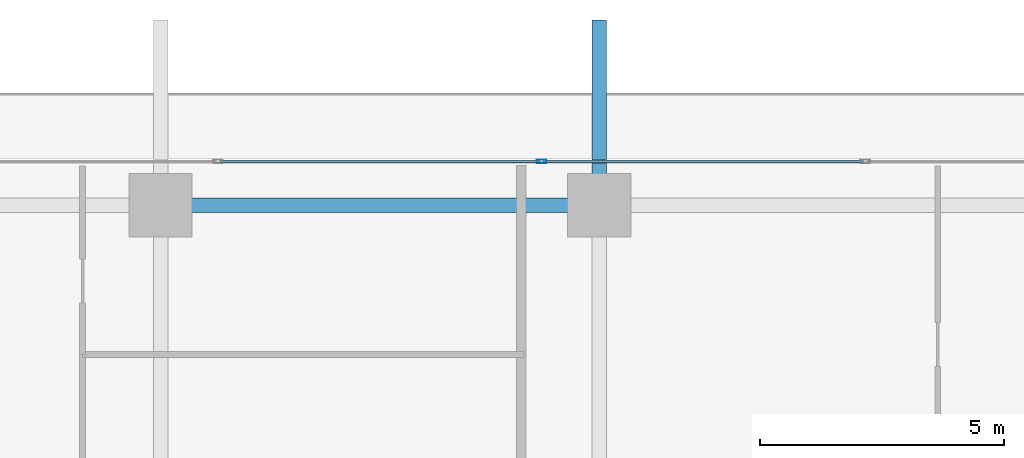
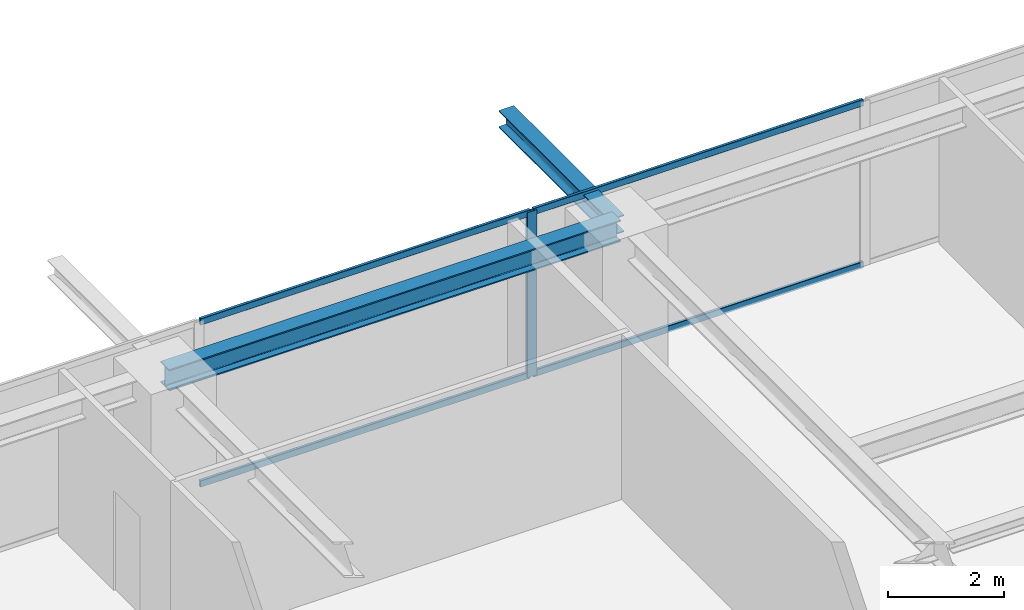
# One storey, part 21 of 36: 5 members, 2 beams, 1 element without a shape of its own.
"""IFC4 building model written with IfcOpenShell, lengths in metres."""

from ifc_helpers import new_model, si_unit, direction, frame, origin, origin_2d, place, context, subcontext, project, spatial, hollow_rectangle, i_section, extrude, source, transform, mapped, material, layer, layer_set, material_profile, profile_set, type_object, element, aggregate, save


model = new_model("IFC4")

# Units and contexts
model_context = context("Model", 3, precision=1e-05, world=origin(), true_north=direction((0.0, 1.0)))
body_context = subcontext(model_context, "Body", "Model", "MODEL_VIEW")
ifc_project = project(units=[si_unit("LENGTHUNIT", "METRE"), si_unit("AREAUNIT", "SQUARE_METRE"), si_unit("VOLUMEUNIT", "CUBIC_METRE"), si_unit("PLANEANGLEUNIT", "RADIAN"), si_unit("MASSUNIT", "GRAM", prefix="KILO")], contexts=[model_context])

# Site, building, storey
site_placement = place(None, origin())
site = spatial("IfcSite", under=ifc_project, at=site_placement, CompositionType="ELEMENT")
building_placement = place(site_placement, origin())
building = spatial("IfcBuilding", under=site, at=building_placement, Name="Serunith Strait Residences", CompositionType="ELEMENT")
storey_placement = place(building_placement, frame((0.0, 0.0, 131.39990234375)))
storey = spatial("IfcBuildingStorey", under=building, at=storey_placement, Name="L32", CompositionType="ELEMENT", Elevation=131.39990234375)

# Beams
ifc_material_1 = material(Name="Steel S355J2", Category="steel")
ifc_material_profile_1 = material_profile(ifc_material_1, i_section(OverallWidth=0.300048828125, OverallDepth=0.449951171875, WebThickness=0.013916015625, FlangeThickness=0.02587890625, FilletRadius=0.027099609375, at=origin_2d()), Name="HEB 450")
ifc_profile_set_1 = profile_set([ifc_material_profile_1], Name="Steel S355J2")
beam_type_1 = type_object("IfcBeamType", Name="BM-HEB450", PredefinedType="BEAM", material=ifc_profile_set_1)
shared_shape_1 = source(origin(), body_context, "Body", "SweptSolid", [
    extrude(i_section(OverallWidth=0.300048828125, OverallDepth=0.449951171875, WebThickness=0.013916015625, FlangeThickness=0.02587890625, FilletRadius=0.027099609375, at=origin_2d()), origin(), (0.0, 0.0, 1.0), 9.0),
])
beam_1_placement = place(storey_placement, frame((36.89990234375, 48.10009765625, 3.26220703125), z_axis=(-1.0, 0.0, 0.0), x_axis=(0.0, -1.0, 0.0)))
element("IfcBeam", 1, at=beam_1_placement, inside=storey, type_object=beam_type_1, Name="L32 Perimeter Ring Beam 10", PredefinedType="BEAM", context=body_context, shape_type="MappedRepresentation", body=[
    mapped(shared_shape_1, transform((0.0, 0.0, 0.0), scale=1.0)),
])
ifc_material_profile_2 = material_profile(ifc_material_1, i_section(OverallWidth=0.300048828125, OverallDepth=0.360107421875, WebThickness=0.012451171875, FlangeThickness=0.0224609375, FilletRadius=0.027099609375, at=origin_2d()), Name="HEB 360")
ifc_profile_set_2 = profile_set([ifc_material_profile_2], Name="Steel S355J2")
beam_type_2 = type_object("IfcBeamType", Name="BM-HEB360", PredefinedType="BEAM", material=ifc_profile_set_2)
shared_shape_2 = source(origin(), body_context, "Body", "SweptSolid", [
    extrude(i_section(OverallWidth=0.300048828125, OverallDepth=0.360107421875, WebThickness=0.012451171875, FlangeThickness=0.0224609375, FilletRadius=0.027099609375, at=origin_2d()), origin(), (0.0, 0.0, 1.0), 3.7998046875),
])
beam_2_placement = place(storey_placement, frame((36.89990234375, 48.10009765625, 3.277099609375), z_axis=(0.0, 1.0, 0.0), x_axis=(-1.0, 0.0, 0.0)))
element("IfcBeam", 2, at=beam_2_placement, inside=storey, type_object=beam_type_2, Name="L33 Cantilevered Balcony Rib TC-N3", PredefinedType="BEAM", context=body_context, shape_type="MappedRepresentation", body=[
    mapped(shared_shape_2, transform((0.0, 0.0, 0.0), scale=1.0)),
])

# Curtain wall, members
ifc_material_2 = material(Name="Pale-Champagne Anodised Aluminium", Category="aluminium")
ifc_layer = layer(ifc_material_2, 0.199951171875, Name="Pale-Champagne Anodised Aluminium")
ifc_layer_set = layer_set([ifc_layer], Name="Pale-Champagne Anodised Aluminium")
curtain_wall_type = type_object("IfcCurtainWallType", Name="CW-SYS2", PredefinedType="NOTDEFINED", material=ifc_layer_set)
curtain_wall_placement = place(storey_placement, origin())
curtain_wall = element("IfcCurtainWall", 3, at=curtain_wall_placement, inside=storey, type_object=curtain_wall_type, Name="L32 N Unitised Fritted Curtain Wall", PredefinedType="NOTDEFINED")
ifc_material_profile_3 = material_profile(ifc_material_2, hollow_rectangle(XDim=0.070068359375, YDim=0.199951171875, WallThickness=0.00390625, InnerFilletRadius=0.006103515625, OuterFilletRadius=0.010009765625, at=origin_2d()), Name="ALU 200x70x4")
ifc_profile_set_3 = profile_set([ifc_material_profile_3], Name="Pale-Champagne Anodised Aluminium")
member_type_1 = type_object("IfcMemberType", Name="CW-SYS2-MULL", PredefinedType="MULLION", material=ifc_profile_set_3)
shared_shape_3 = source(origin(), body_context, "Body", "SweptSolid", [
    extrude(hollow_rectangle(XDim=0.070068359375, YDim=0.199951171875, WallThickness=0.00390625, InnerFilletRadius=0.006103515625, OuterFilletRadius=0.010009765625, at=origin_2d()), origin(), (0.0, 0.0, 1.0), 3.47509765625),
])
member_1_placement = place(storey_placement, frame((35.719970703125, 49.0, 0.0), z_axis=(0.0, 0.0, 1.0), x_axis=(0.0, -1.0, 0.0)))
member_1 = element("IfcMember", 4, at=member_1_placement, type_object=member_type_1, Name="CW-2 mullion 3", PredefinedType="MULLION", context=body_context, shape_type="MappedRepresentation", body=[
    mapped(shared_shape_3, transform((0.0, 0.0, 0.0), scale=1.0)),
])
ifc_material_profile_4 = material_profile(ifc_material_2, hollow_rectangle(XDim=0.06005859375, YDim=0.139892578125, WallThickness=0.00341796875, InnerFilletRadius=0.00537109375, OuterFilletRadius=0.0087890625, at=origin_2d()), Name="ALU 140x60x3.5")
ifc_profile_set_4 = profile_set([ifc_material_profile_4], Name="Pale-Champagne Anodised Aluminium")
member_type_2 = type_object("IfcMemberType", Name="CW-SYS2-TRAN", PredefinedType="USERDEFINED", material=ifc_profile_set_4)
shared_shape_4 = source(origin(), body_context, "Body", "SweptSolid", [
    extrude(hollow_rectangle(XDim=0.06005859375, YDim=0.139892578125, WallThickness=0.00341796875, InnerFilletRadius=0.00537109375, OuterFilletRadius=0.0087890625, at=origin_2d()), origin(), (0.0, 0.0, 1.0), 6.570068359375),
])
member_2_placement = place(storey_placement, frame((42.324951171875, 49.0, 0.030029296875), z_axis=(-1.0, 0.0, 0.0), x_axis=(0.0, -1.0, 0.0)))
member_2 = element("IfcMember", 5, at=member_2_placement, type_object=member_type_2, Name="CW-2 transom 2.1", ObjectType="TRANSOM", PredefinedType="USERDEFINED", context=body_context, shape_type="MappedRepresentation", body=[
    mapped(shared_shape_4, transform((0.0, 0.0, 0.0), scale=1.0)),
])
member_3_placement = place(storey_placement, frame((42.324951171875, 49.0, 3.445068359375), z_axis=(-1.0, 0.0, 0.0), x_axis=(0.0, -1.0, 0.0)))
member_3 = element("IfcMember", 6, at=member_3_placement, type_object=member_type_2, Name="CW-2 transom 2.2", ObjectType="TRANSOM", PredefinedType="USERDEFINED", context=body_context, shape_type="MappedRepresentation", body=[
    mapped(shared_shape_4, transform((0.0, 0.0, 0.0), scale=1.0)),
])
member_4_placement = place(storey_placement, frame((35.68505859375, 49.0, 0.030029296875), z_axis=(-1.0, 0.0, 0.0), x_axis=(0.0, -1.0, 0.0)))
member_4 = element("IfcMember", 7, at=member_4_placement, type_object=member_type_2, Name="CW-2 transom 3.1", ObjectType="TRANSOM", PredefinedType="USERDEFINED", context=body_context, shape_type="MappedRepresentation", body=[
    mapped(shared_shape_4, transform((0.0, 0.0, 0.0), scale=1.0)),
])
member_5_placement = place(storey_placement, frame((35.68505859375, 49.0, 3.445068359375), z_axis=(-1.0, 0.0, 0.0), x_axis=(0.0, -1.0, 0.0)))
member_5 = element("IfcMember", 8, at=member_5_placement, type_object=member_type_2, Name="CW-2 transom 3.2", ObjectType="TRANSOM", PredefinedType="USERDEFINED", context=body_context, shape_type="MappedRepresentation", body=[
    mapped(shared_shape_4, transform((0.0, 0.0, 0.0), scale=1.0)),
])
aggregate(curtain_wall, [member_1, member_2, member_3, member_4, member_5])

save(model, "model.ifc")
